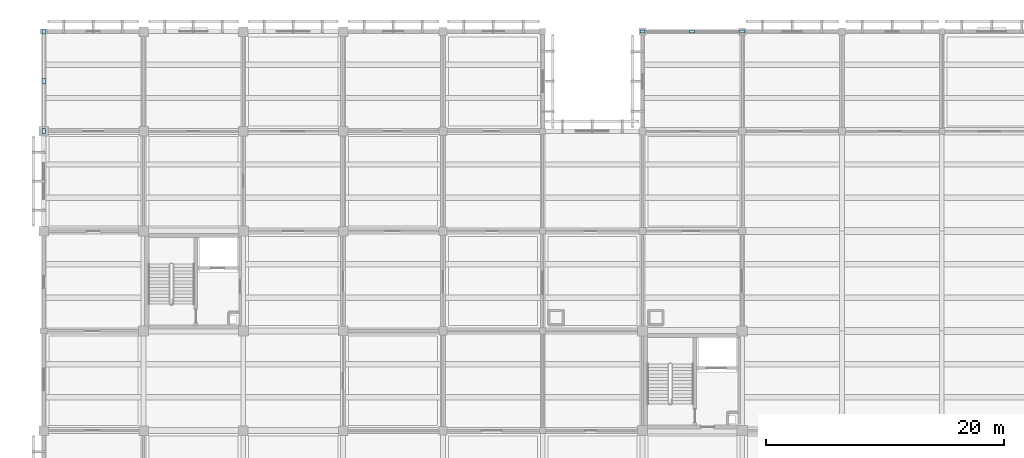
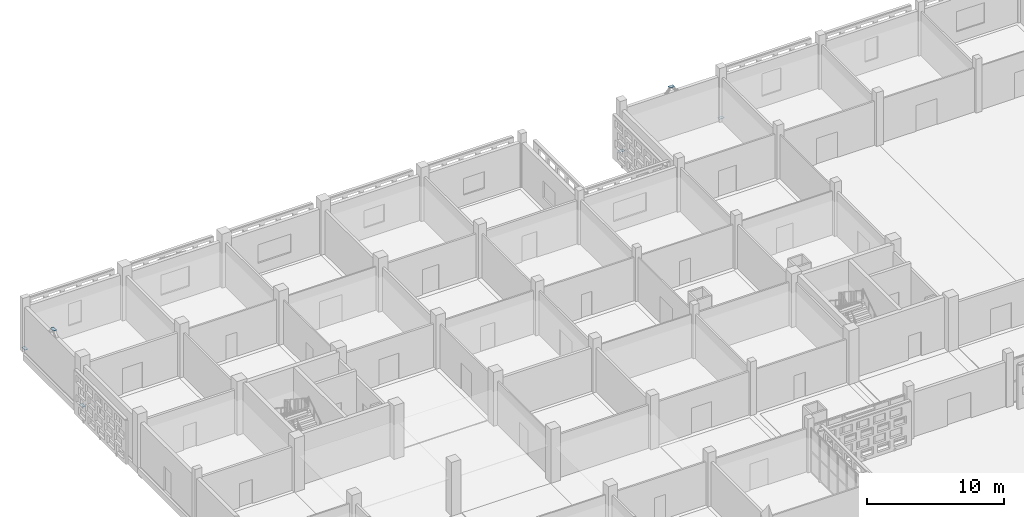
# One storey, part 54 of 129: 6 plates.
"""IFC4 building model written with IfcOpenShell, lengths in metres."""

from ifc_helpers import new_model, si_unit, direction, frame, origin, origin_2d, place, context, subcontext, project, spatial, rectangle, extrude, material, layer, layer_set, type_object, element, save


model = new_model("IFC4")

# Units and contexts
model_context = context("Model", 3, precision=1e-05, world=origin(), true_north=direction((0.0, 1.0)))
body_context = subcontext(model_context, "Body", "Model", "MODEL_VIEW")
ifc_project = project(units=[si_unit("LENGTHUNIT", "METRE"), si_unit("AREAUNIT", "SQUARE_METRE"), si_unit("VOLUMEUNIT", "CUBIC_METRE"), si_unit("PLANEANGLEUNIT", "RADIAN"), si_unit("MASSUNIT", "GRAM", prefix="KILO")], contexts=[model_context])

# Site, building, storey
site_placement = place(None, origin())
site = spatial("IfcSite", under=ifc_project, at=site_placement, CompositionType="ELEMENT")
building_placement = place(site_placement, origin())
building = spatial("IfcBuilding", under=site, at=building_placement, Name="Varnapada Polytechnic", CompositionType="ELEMENT")
storey_placement = place(building_placement, origin())
storey = spatial("IfcBuildingStorey", under=building, at=storey_placement, Name="L00", CompositionType="ELEMENT", Elevation=0.0)

# Plates
ifc_material = material(Name="Steel S355", Category="steel")
ifc_layer = layer(ifc_material, 0.02001953125)
ifc_layer_set = layer_set([ifc_layer], Name="Steel S355")
plate_type = type_object("IfcPlateType", Name="Plate BP-03", PredefinedType="SHEET", material=ifc_layer_set)
for number, where, z_axis, x_axis, name in (
    (1, (54.60009765625, 126.0, 4.389892578125), (0.0, 0.0, 1.0), (1.0, 0.0, 0.0), "L00 chevron brace gusset plate 1"),
    (2, (50.39990234375, 126.0, 0.1298828125), (0.0, 0.0, 1.0), (1.0, 0.0, 0.0), "L00 chevron brace base gusset plate 1L"),
    (3, (58.800048828125, 126.0, 0.1298828125), (0.0, 0.0, 1.0), (1.0, 0.0, 0.0), "L00 chevron brace base gusset plate 1R"),
    (4, (0.0, 121.800048828125, 4.389892578125), (0.0, 0.0, 1.0), (0.0, 1.0, 0.0), "L00 chevron brace gusset plate 7"),
    (5, (0.0, 117.60009765625, 0.1298828125), (0.0, 0.0, 1.0), (0.0, 1.0, 0.0), "L00 chevron brace base gusset plate 7L"),
    (6, (0.0, 126.0, 0.1298828125), (0.0, 0.0, 1.0), (0.0, 1.0, 0.0), "L00 chevron brace base gusset plate 7R"),
):
    element("IfcPlate", number, at=place(storey_placement, frame(where, z_axis=z_axis, x_axis=x_axis)), inside=storey, type_object=plate_type, Name=name, PredefinedType="SHEET", context=body_context, shape_type="SweptSolid", body=[
        extrude(rectangle(XDim=0.449951171875, YDim=0.280029296875, at=origin_2d()), origin(), (0.0, 0.0, 1.0), 0.02001953125),
    ])

save(model, "model.ifc")
